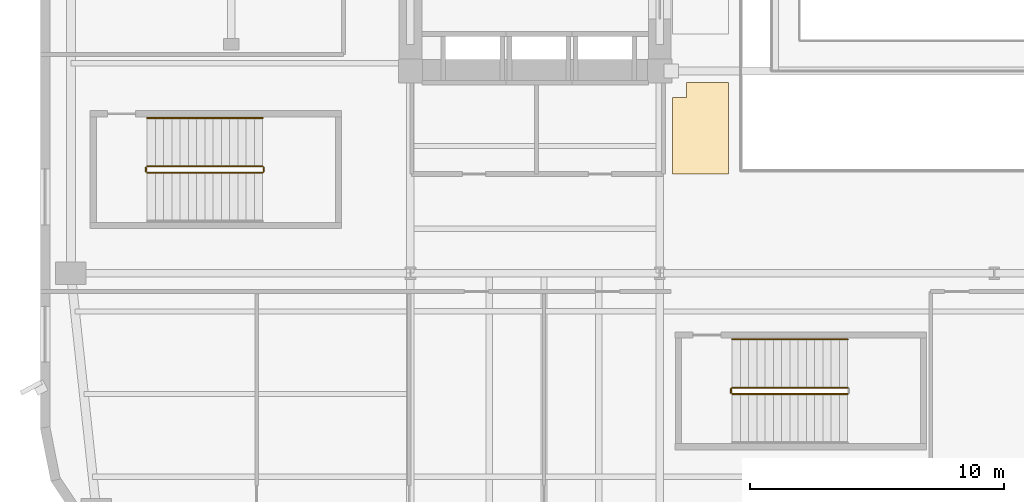
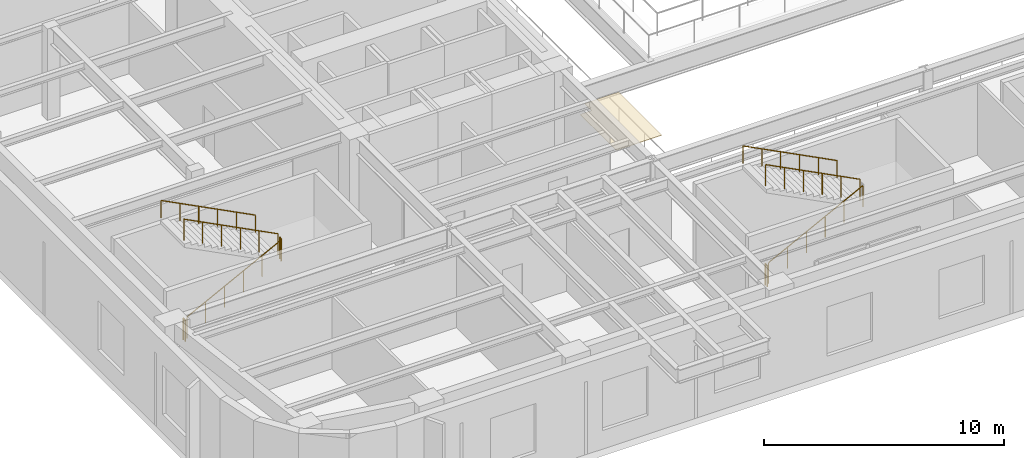
# One storey, part 15 of 24: 9 railings, 1 covering.
"""IFC4 building model written with IfcOpenShell, lengths in metres."""

from ifc_helpers import new_model, si_unit, direction, frame, origin, origin_2d, place, context, subcontext, project, spatial, polyline, circle, outline, extrude, material, layer, layer_set, type_object, element, save


model = new_model("IFC4")

# Units and contexts
model_context = context("Model", 3, precision=1e-05, world=origin(), true_north=direction((0.0, 1.0)))
body_context = subcontext(model_context, "Body", "Model", "MODEL_VIEW")
ifc_project = project(units=[si_unit("LENGTHUNIT", "METRE"), si_unit("AREAUNIT", "SQUARE_METRE"), si_unit("VOLUMEUNIT", "CUBIC_METRE"), si_unit("PLANEANGLEUNIT", "RADIAN"), si_unit("MASSUNIT", "GRAM", prefix="KILO")], contexts=[model_context])

# Site, building, storey
site_placement = place(None, origin())
site = spatial("IfcSite", under=ifc_project, at=site_placement, CompositionType="ELEMENT")
building_placement = place(site_placement, origin())
building = spatial("IfcBuilding", under=site, at=building_placement, Name="Kolvaren Arena Tower", CompositionType="ELEMENT")
storey_placement = place(building_placement, frame((0.0, 0.0, 23.0)))
storey = spatial("IfcBuildingStorey", under=building, at=storey_placement, Name="L04", CompositionType="ELEMENT", Elevation=23.0)

# Covering
ifc_material_1 = material(Name="Mineral fibre acoustic ceiling tile", Category="gypsum")
ifc_layer = layer(ifc_material_1, 0.02490234375)
ifc_layer_set = layer_set([ifc_layer], Name="Mineral fibre acoustic ceiling tile")
covering_type = type_object("IfcCoveringType", Name="CEIL-ACT-1", PredefinedType="CEILING", material=ifc_layer_set)
covering_placement = place(storey_placement, frame((0.0, 0.0, 2.52001953125)))
element("IfcCovering", 1, at=covering_placement, inside=storey, type_object=covering_type, Name="Suspended Ceiling (L04)", PredefinedType="CEILING", context=body_context, shape_type="SweptSolid", body=[
    extrude(outline(polyline([(27.050048828125, 19.0), (27.050048828125, 15.39990234375), (24.85009765625, 15.39990234375), (24.85009765625, 18.39990234375), (25.39990234375, 18.39990234375), (25.39990234375, 19.0), (27.050048828125, 19.0)])), origin(), (0.0, 0.0, 1.0), 0.02490234375),
])

# Railings
ifc_material_2 = material(Name="Painted galvanized steel", Category="steel")
railing_type_1 = type_object("IfcRailingType", Name="GUARD-ST-110", PredefinedType="GUARDRAIL", material=ifc_material_2)
railing_1_placement = place(storey_placement, frame((4.199951171875, 15.449951171875, 0.166748046875)))
element("IfcRailing", 2, at=railing_1_placement, inside=storey, type_object=railing_type_1, Name="L04 ST-A1 stair guard 1", PredefinedType="GUARDRAIL", context=body_context, shape_type="SweptSolid", body=[
    extrude(circle(Radius=0.02392578125, at=origin_2d()), frame((0.0, 0.0, 1.076171875), z_axis=(0.889257211316, 0.0, 0.457407490234), x_axis=(0.0, 1.0, 0.0)), (0.0, 0.0, 1.0), 5.10107421875),
    extrude(circle(Radius=0.02099609375, at=origin_2d()), origin(), (0.0, 0.0, 1.0), 1.052001953125),
    extrude(circle(Radius=0.02099609375, at=origin_2d()), frame((0.9072265625, 0.0, 0.466552734375)), (0.0, 0.0, 1.0), 1.052001953125),
    extrude(circle(Radius=0.02099609375, at=origin_2d()), frame((1.814453125, 0.0, 0.933349609375)), (0.0, 0.0, 1.0), 1.052001953125),
    extrude(circle(Radius=0.02099609375, at=origin_2d()), frame((2.7216796875, 0.0, 1.39990234375)), (0.0, 0.0, 1.0), 1.052001953125),
    extrude(circle(Radius=0.02099609375, at=origin_2d()), frame((3.62890625, 0.0, 1.86669921875)), (0.0, 0.0, 1.0), 1.052001953125),
    extrude(circle(Radius=0.02099609375, at=origin_2d()), frame((4.5361328125, 0.0, 2.333251953125)), (0.0, 0.0, 1.0), 1.052001953125),
])
railing_2_placement = place(storey_placement, frame((8.785888671875, 15.5, 2.5)))
element("IfcRailing", 3, at=railing_2_placement, inside=storey, type_object=railing_type_1, Name="L04 ST-A1 stair guard 2", PredefinedType="GUARDRAIL", context=body_context, shape_type="SweptSolid", body=[
    extrude(circle(Radius=0.02392578125, at=origin_2d()), frame((0.0, 0.0, 1.076171875), z_axis=(0.0, 1.0, 0.0), x_axis=(-1.0, 0.0, 0.0)), (0.0, 0.0, 1.0), 0.14990234375),
    extrude(circle(Radius=0.02099609375, at=origin_2d()), origin(), (0.0, 0.0, 1.0), 1.052001953125),
    extrude(circle(Radius=0.02099609375, at=origin_2d()), frame((0.0, 0.14990234375, 0.0)), (0.0, 0.0, 1.0), 1.052001953125),
])
railing_3_placement = place(storey_placement, frame((8.736083984375, 15.699951171875, 2.666748046875)))
element("IfcRailing", 4, at=railing_3_placement, inside=storey, type_object=railing_type_1, Name="L04 ST-A1 stair guard 3", PredefinedType="GUARDRAIL", context=body_context, shape_type="SweptSolid", body=[
    extrude(circle(Radius=0.02392578125, at=origin_2d()), frame((0.0, 0.0, 1.076171875), z_axis=(-0.889257211316, 0.0, 0.457407490234), x_axis=(0.0, -1.0, 0.0)), (0.0, 0.0, 1.0), 5.10107421875),
    extrude(circle(Radius=0.02099609375, at=origin_2d()), origin(), (0.0, 0.0, 1.0), 1.052001953125),
    extrude(circle(Radius=0.02099609375, at=origin_2d()), frame((-0.9072265625, 0.0, 0.466552734375)), (0.0, 0.0, 1.0), 1.052001953125),
    extrude(circle(Radius=0.02099609375, at=origin_2d()), frame((-1.814453125, 0.0, 0.933349609375)), (0.0, 0.0, 1.0), 1.052001953125),
    extrude(circle(Radius=0.02099609375, at=origin_2d()), frame((-2.7216796875, 0.0, 1.39990234375)), (0.0, 0.0, 1.0), 1.052001953125),
    extrude(circle(Radius=0.02099609375, at=origin_2d()), frame((-3.62890625, 0.0, 1.86669921875)), (0.0, 0.0, 1.0), 1.052001953125),
    extrude(circle(Radius=0.02099609375, at=origin_2d()), frame((-4.5361328125, 0.0, 2.333251953125)), (0.0, 0.0, 1.0), 1.052001953125),
])
railing_4_placement = place(storey_placement, frame((4.14990234375, 15.5, 0.0)))
element("IfcRailing", 5, at=railing_4_placement, inside=storey, type_object=railing_type_1, Name="L04 ST-A1 stair guard 4", PredefinedType="GUARDRAIL", context=body_context, shape_type="SweptSolid", body=[
    extrude(circle(Radius=0.02392578125, at=origin_2d()), frame((0.0, 0.0, 1.076171875), z_axis=(0.0, 1.0, 0.0), x_axis=(-1.0, 0.0, 0.0)), (0.0, 0.0, 1.0), 0.14990234375),
    extrude(circle(Radius=0.02099609375, at=origin_2d()), origin(), (0.0, 0.0, 1.0), 1.052001953125),
    extrude(circle(Radius=0.02099609375, at=origin_2d()), frame((0.0, 0.14990234375, 0.0)), (0.0, 0.0, 1.0), 1.052001953125),
])
railing_5_placement = place(storey_placement, frame((27.199951171875, 6.75, 0.166748046875)))
element("IfcRailing", 6, at=railing_5_placement, inside=storey, type_object=railing_type_1, Name="L04 ST-A2 stair guard 1", PredefinedType="GUARDRAIL", context=body_context, shape_type="SweptSolid", body=[
    extrude(circle(Radius=0.02392578125, at=origin_2d()), frame((0.0, 0.0, 1.076171875), z_axis=(0.889257211316, 0.0, 0.457407490234), x_axis=(0.0, 1.0, 0.0)), (0.0, 0.0, 1.0), 5.10107421875),
    extrude(circle(Radius=0.02099609375, at=origin_2d()), origin(), (0.0, 0.0, 1.0), 1.052001953125),
    extrude(circle(Radius=0.02099609375, at=origin_2d()), frame((0.9072265625, 0.0, 0.466552734375)), (0.0, 0.0, 1.0), 1.052001953125),
    extrude(circle(Radius=0.02099609375, at=origin_2d()), frame((1.814453125, 0.0, 0.933349609375)), (0.0, 0.0, 1.0), 1.052001953125),
    extrude(circle(Radius=0.02099609375, at=origin_2d()), frame((2.7216796875, 0.0, 1.39990234375)), (0.0, 0.0, 1.0), 1.052001953125),
    extrude(circle(Radius=0.02099609375, at=origin_2d()), frame((3.62890625, 0.0, 1.86669921875)), (0.0, 0.0, 1.0), 1.052001953125),
    extrude(circle(Radius=0.02099609375, at=origin_2d()), frame((4.5361328125, 0.0, 2.333251953125)), (0.0, 0.0, 1.0), 1.052001953125),
])
railing_6_placement = place(storey_placement, frame((31.736083984375, 7.0, 2.666748046875)))
element("IfcRailing", 7, at=railing_6_placement, inside=storey, type_object=railing_type_1, Name="L04 ST-A2 stair guard 3", PredefinedType="GUARDRAIL", context=body_context, shape_type="SweptSolid", body=[
    extrude(circle(Radius=0.02392578125, at=origin_2d()), frame((0.0, 0.0, 1.076171875), z_axis=(-0.889257211316, 0.0, 0.457407490234), x_axis=(0.0, -1.0, 0.0)), (0.0, 0.0, 1.0), 5.10107421875),
    extrude(circle(Radius=0.02099609375, at=origin_2d()), origin(), (0.0, 0.0, 1.0), 1.052001953125),
    extrude(circle(Radius=0.02099609375, at=origin_2d()), frame((-0.9072265625, 0.0, 0.466552734375)), (0.0, 0.0, 1.0), 1.052001953125),
    extrude(circle(Radius=0.02099609375, at=origin_2d()), frame((-1.814453125, 0.0, 0.933349609375)), (0.0, 0.0, 1.0), 1.052001953125),
    extrude(circle(Radius=0.02099609375, at=origin_2d()), frame((-2.7216796875, 0.0, 1.39990234375)), (0.0, 0.0, 1.0), 1.052001953125),
    extrude(circle(Radius=0.02099609375, at=origin_2d()), frame((-3.62890625, 0.0, 1.86669921875)), (0.0, 0.0, 1.0), 1.052001953125),
    extrude(circle(Radius=0.02099609375, at=origin_2d()), frame((-4.5361328125, 0.0, 2.333251953125)), (0.0, 0.0, 1.0), 1.052001953125),
])
railing_7_placement = place(storey_placement, frame((27.14990234375, 6.800048828125, 0.0)))
element("IfcRailing", 8, at=railing_7_placement, inside=storey, type_object=railing_type_1, Name="L04 ST-A2 stair guard 4", PredefinedType="GUARDRAIL", context=body_context, shape_type="SweptSolid", body=[
    extrude(circle(Radius=0.02392578125, at=origin_2d()), frame((0.0, 0.0, 1.076171875), z_axis=(0.0, 1.0, 0.0), x_axis=(-1.0, 0.0, 0.0)), (0.0, 0.0, 1.0), 0.14990234375),
    extrude(circle(Radius=0.02099609375, at=origin_2d()), origin(), (0.0, 0.0, 1.0), 1.052001953125),
    extrude(circle(Radius=0.02099609375, at=origin_2d()), frame((0.0, 0.14990234375, 0.0)), (0.0, 0.0, 1.0), 1.052001953125),
])
ifc_material_3 = material(Name="Brushed stainless steel handrail", Category="steel")
railing_type_2 = type_object("IfcRailingType", Name="HRAIL-900", PredefinedType="HANDRAIL", material=ifc_material_3)
for number, where, name in (
    (9, (8.736083984375, 17.60009765625, 2.666748046875), "L04 ST-A1 stair handrail 2"),
    (10, (31.736083984375, 8.89990234375, 2.666748046875), "L04 ST-A2 stair handrail 2"),
):
    element("IfcRailing", number, at=place(storey_placement, frame(where)), inside=storey, type_object=railing_type_2, Name=name, PredefinedType="HANDRAIL", context=body_context, shape_type="SweptSolid", body=[
        extrude(circle(Radius=0.02392578125, at=origin_2d()), frame((0.0, 0.0, 0.8759765625), z_axis=(-0.889257211316, 0.0, 0.457407490234), x_axis=(0.0, -1.0, 0.0)), (0.0, 0.0, 1.0), 5.10107421875),
        extrude(circle(Radius=0.02099609375, at=origin_2d()), origin(), (0.0, 0.0, 1.0), 0.851806640625),
        extrude(circle(Radius=0.02099609375, at=origin_2d()), frame((-0.9072265625, 0.0, 0.466552734375)), (0.0, 0.0, 1.0), 0.851806640625),
        extrude(circle(Radius=0.02099609375, at=origin_2d()), frame((-1.814453125, 0.0, 0.933349609375)), (0.0, 0.0, 1.0), 0.851806640625),
        extrude(circle(Radius=0.02099609375, at=origin_2d()), frame((-2.7216796875, 0.0, 1.39990234375)), (0.0, 0.0, 1.0), 0.851806640625),
        extrude(circle(Radius=0.02099609375, at=origin_2d()), frame((-3.62890625, 0.0, 1.86669921875)), (0.0, 0.0, 1.0), 0.851806640625),
        extrude(circle(Radius=0.02099609375, at=origin_2d()), frame((-4.5361328125, 0.0, 2.333251953125)), (0.0, 0.0, 1.0), 0.851806640625),
    ])

save(model, "model.ifc")
